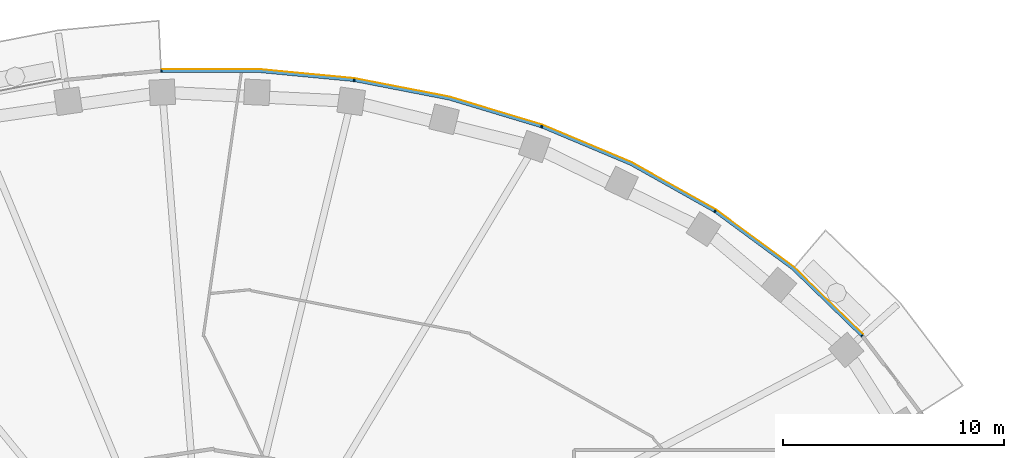
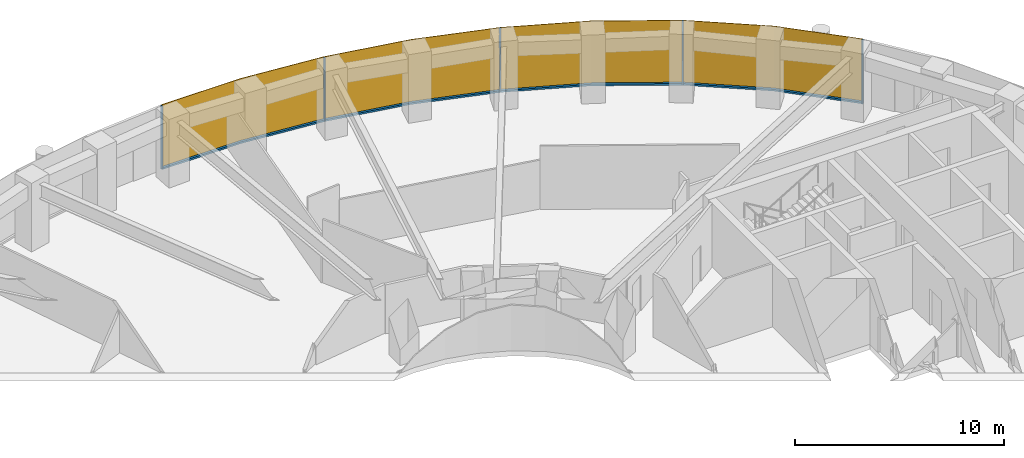
# One storey, part 13 of 16: 9 members, 1 curtain wall.
"""IFC4 building model written with IfcOpenShell, lengths in metres."""

import ifcopenshell
import ifcopenshell.guid

model = None  # the IFC model being written
_history = None  # IfcOwnerHistory: only IFC2X3 demands one
_inside = {}  # id of a spatial element -> (the spatial element, [elements in it])
_under = {}  # id of a project, library or spatial element -> (it, [spatial elements below it])
_declared = {}  # id of a project -> (the project, [libraries it declares])
_typed = {}  # id of a type object -> (the type object, [elements of that type])
_made_of = {}  # id of a material, layer set ... -> (it, [elements and type objects made of it])


def new_model(schema):
    """Start an empty IFC model of exactly this schema.

    Asked for "IFC4X3", IfcOpenShell would pick the latest addendum, in which some entities
    have other attributes; the version numbers below select the first issue.
    IFC2X3 requires an IfcOwnerHistory on every rooted entity: one is made here for all.
    """
    global model, _history
    if schema == "IFC4X3":
        model = ifcopenshell.file(schema_version=(4, 3, 0, 0))
    else:
        model = ifcopenshell.file(schema=schema)
    _inside.clear()
    _under.clear()
    _declared.clear()
    _typed.clear()
    _made_of.clear()
    _history = None
    if model.schema == "IFC2X3":
        org = make("IfcOrganization", Name="unknown")
        user = make(
            "IfcPersonAndOrganization",
            ThePerson=make("IfcPerson", FamilyName="unknown"),
            TheOrganization=org,
        )
        app = make(
            "IfcApplication",
            ApplicationDeveloper=org,
            Version="unknown",
            ApplicationFullName="unknown",
            ApplicationIdentifier="unknown",
        )
        _history = make(
            "IfcOwnerHistory",
            OwningUser=user,
            OwningApplication=app,
            ChangeAction="ADDED",
            CreationDate=0,
        )
    return model


def make(cls, **values):
    """One entity of the class cls with the attributes given. An attribute that is None is left unset."""
    return model.create_entity(
        cls, **{name: value for name, value in values.items() if value is not None}
    )


def rooted(cls, **values):
    """An entity with a GlobalId (a new one), such as an element, a storey or a relation."""
    return make(cls, GlobalId=ifcopenshell.guid.new(), OwnerHistory=_history, **values)


def si_unit(unit_type, name, prefix=None):
    """IfcSIUnit, for example si_unit("LENGTHUNIT", "METRE", prefix="MILLI")."""
    return make("IfcSIUnit", UnitType=unit_type, Prefix=prefix, Name=name)


def assignment(units):
    """IfcUnitAssignment: the units of a project."""
    return None if units is None else make("IfcUnitAssignment", Units=units)


def point(xyz):
    """IfcCartesianPoint."""
    return None if xyz is None else make("IfcCartesianPoint", Coordinates=xyz)


def direction(xyz):
    """IfcDirection."""
    return None if xyz is None else make("IfcDirection", DirectionRatios=xyz)


def frame(location, z_axis=None, x_axis=None):
    """IfcAxis2Placement3D, a coordinate frame: its origin and axes. An axis left out is left unset."""
    return make(
        "IfcAxis2Placement3D",
        Location=point(location),
        Axis=direction(z_axis),
        RefDirection=direction(x_axis),
    )


def frame_2d(location, x_axis=None):
    """IfcAxis2Placement2D, a coordinate frame in the plane: its origin and x axis."""
    return make(
        "IfcAxis2Placement2D", Location=point(location), RefDirection=direction(x_axis)
    )


def origin():
    """The frame at (0, 0, 0) with its axes left unset."""
    return frame((0.0, 0.0, 0.0))


def origin_2d():
    """The frame at (0, 0) in the plane with its x axis left unset."""
    return frame_2d((0.0, 0.0))


def place(relative_to, where):
    """IfcLocalPlacement: puts the frame where relative to a parent placement (None: the world)."""
    return make(
        "IfcLocalPlacement", PlacementRelTo=relative_to, RelativePlacement=where
    )


def context(
    kind, dimensions, precision=None, world=None, true_north=None, identifier=None
):
    """IfcGeometricRepresentationContext, for example the 3D "Model" context."""
    return make(
        "IfcGeometricRepresentationContext",
        ContextIdentifier=identifier,
        ContextType=kind,
        CoordinateSpaceDimension=dimensions,
        Precision=precision,
        WorldCoordinateSystem=world,
        TrueNorth=true_north,
    )


def subcontext(parent, identifier, kind, view, scale=None):
    """IfcGeometricRepresentationSubContext, for example "Body" below "Model"."""
    return make(
        "IfcGeometricRepresentationSubContext",
        ContextIdentifier=identifier,
        ContextType=kind,
        ParentContext=parent,
        TargetScale=scale,
        TargetView=view,
    )


def project(units=None, contexts=None):
    """IfcProject with its units and contexts."""
    return rooted(
        "IfcProject",
        Name="project",
        RepresentationContexts=contexts,
        UnitsInContext=assignment(units),
    )


def spatial(cls, under=None, at=None, **own):
    """A site, building, storey or space (cls), placed at a placement, below another one or the project."""
    s = rooted(cls, ObjectPlacement=at, **own)
    if under is not None:
        _under.setdefault(under.id(), (under, []))[1].append(s)
    return s


def polyline(points):
    """IfcPolyline through the points."""
    return make("IfcPolyline", Points=[point(p) for p in points])


def profile(cls, at=None, kind="AREA", **sizes):
    """A parametric profile (cls). Its sizes go by their IFC names, for example OverallWidth=200.0."""
    return make(cls, ProfileType=kind, Position=at, **sizes)


def rectangle(**sizes):
    """IfcRectangleProfileDef."""
    return profile("IfcRectangleProfileDef", **sizes)


def outline(outer, holes=None, kind="AREA"):
    """IfcArbitraryClosedProfileDef: a profile drawn as a closed curve; with holes, ...WithVoids."""
    if holes is None:
        return make("IfcArbitraryClosedProfileDef", ProfileType=kind, OuterCurve=outer)
    return make(
        "IfcArbitraryProfileDefWithVoids",
        ProfileType=kind,
        OuterCurve=outer,
        InnerCurves=holes,
    )


def extrude(swept, where, along, depth):
    """IfcExtrudedAreaSolid: the profile swept, set in the frame where, extruded along a direction by depth."""
    return make(
        "IfcExtrudedAreaSolid",
        SweptArea=swept,
        Position=where,
        ExtrudedDirection=direction(along),
        Depth=depth,
    )


def shape(context_of_items, identifier, shape_type, items):
    """IfcShapeRepresentation: the items that make up one representation, for example the "Body"."""
    return make(
        "IfcShapeRepresentation",
        ContextOfItems=context_of_items,
        RepresentationIdentifier=identifier,
        RepresentationType=shape_type,
        Items=items,
    )


def material(Name=None, Category=None):
    """IfcMaterial."""
    return make("IfcMaterial", Name=Name, Category=Category)


def layer(
    of_material, thickness, ventilated=None, Name=None, Category=None, Priority=None
):
    """IfcMaterialLayer: one layer of a wall or slab, of a material (None: an air gap)."""
    return make(
        "IfcMaterialLayer",
        Material=of_material,
        LayerThickness=thickness,
        IsVentilated=ventilated,
        Name=Name,
        Category=Category,
        Priority=Priority,
    )


def layer_set(layers, Name=None):
    """IfcMaterialLayerSet."""
    return make("IfcMaterialLayerSet", MaterialLayers=layers, LayerSetName=Name)


def material_profile(
    of_material, cross_section, Name=None, Category=None, Priority=None
):
    """IfcMaterialProfile: a cross section and its material."""
    return make(
        "IfcMaterialProfile",
        Name=Name,
        Material=of_material,
        Profile=cross_section,
        Priority=Priority,
        Category=Category,
    )


def profile_set(profiles, Name=None, composite=None):
    """IfcMaterialProfileSet."""
    return make(
        "IfcMaterialProfileSet",
        Name=Name,
        MaterialProfiles=profiles,
        CompositeProfile=composite,
    )


def made_of(thing, what):
    """Note that an element or type object is made of a material, layer set ...; save() writes the relation."""
    if what is not None:
        _made_of.setdefault(what.id(), (what, []))[1].append(thing)
    return thing


def type_object(cls, material=None, **own):
    """A type object (cls), such as IfcWallType, which elements share."""
    return made_of(rooted(cls, **own), material)


def element(
    cls,
    number,
    at=None,
    inside=None,
    cuts=None,
    type_object=None,
    material=None,
    context=None,
    identifier="Body",
    shape_type=None,
    held_by="IfcProductDefinitionShape",
    body=None,
    shapes=None,
    **own,
):
    """One element of the class cls, such as IfcWall. Its Tag is "e" and its number.

    at: its placement. inside: the storey or other place that contains it. cuts: it is an
    opening in that element (IfcRelVoidsElement). A single representation is given by context,
    identifier, shape_type and body (its items); several are given by shapes. held_by: the class
    of the entity that holds the representations. save() writes the other relations.
    """
    e = rooted(cls, Tag="e%d" % number, ObjectPlacement=at, **own)
    if body is not None:
        shapes = [shape(context, identifier, shape_type, body)]
    if shapes is not None:
        e.Representation = make(held_by, Representations=shapes)
    if inside is not None:
        _inside.setdefault(inside.id(), (inside, []))[1].append(e)
    if cuts is not None:
        rooted(
            "IfcRelVoidsElement", RelatingBuildingElement=cuts, RelatedOpeningElement=e
        )
    if type_object is not None:
        _typed.setdefault(type_object.id(), (type_object, []))[1].append(e)
    return made_of(e, material)


def aggregate(whole, parts):
    """IfcRelAggregates: a whole, such as a stair, and the parts it consists of."""
    return rooted("IfcRelAggregates", RelatingObject=whole, RelatedObjects=parts)


def save(model, path):
    """Write the relations noted so far, then the file.

    IfcRelAggregates (storeys below a building ...), IfcRelContainedInSpatialStructure (elements
    in a storey), IfcRelDefinesByType, IfcRelAssociatesMaterial and IfcRelDeclares: one each for
    every whole, place, type object, material and project.
    """
    for whole, parts in _under.values():
        aggregate(whole, parts)
    for where, things in _inside.values():
        rooted(
            "IfcRelContainedInSpatialStructure",
            RelatedElements=things,
            RelatingStructure=where,
        )
    for kind, things in _typed.values():
        rooted("IfcRelDefinesByType", RelatedObjects=things, RelatingType=kind)
    for what, things in _made_of.values():
        rooted("IfcRelAssociatesMaterial", RelatedObjects=things, RelatingMaterial=what)
    for by, libraries in _declared.values():
        rooted("IfcRelDeclares", RelatingContext=by, RelatedDefinitions=libraries)
    model.write(path)


model = new_model("IFC4")

# Units and contexts
model_context = context("Model", 3, precision=1e-05, world=origin(), true_north=direction((0.0, 1.0)))
body_context = subcontext(model_context, "Body", "Model", "MODEL_VIEW")
ifc_project = project(units=[si_unit("LENGTHUNIT", "METRE"), si_unit("AREAUNIT", "SQUARE_METRE"), si_unit("VOLUMEUNIT", "CUBIC_METRE"), si_unit("PLANEANGLEUNIT", "RADIAN"), si_unit("MASSUNIT", "GRAM", prefix="KILO")], contexts=[model_context])

# Member
ifc_material_1 = material(Name="Aluminium 6063-T6 black anodised", Category="aluminium")
ifc_material_profile = material_profile(ifc_material_1, rectangle(XDim=0.1201171875, YDim=0.06005859375, at=origin_2d()), Name="120x60")
ifc_profile_set = profile_set([ifc_material_profile], Name="Aluminium 6063-T6 black anodised")
member_type_1 = type_object("IfcMemberType", Name="ENV-MULLION-A-120", PredefinedType="MULLION", material=ifc_profile_set)
site_placement = place(None, origin())
building_placement = place(site_placement, origin())
storey_placement = place(building_placement, frame((0.0, 0.0, 174.0)))
member_1_placement = place(storey_placement, frame((29.53857421875, 15.8671875, 0.0), z_axis=(0.0, 0.0, 1.0), x_axis=(-0.749047221705, -0.662516610853, 0.0)))
member_1 = element("IfcMember", 1, at=member_1_placement, type_object=member_type_1, Name="Mullion A radial 05", PredefinedType="MULLION", context=body_context, shape_type="SweptSolid", body=[
    extrude(rectangle(XDim=0.1201171875, YDim=0.06005859375, at=origin_2d()), origin(), (0.0, 0.0, 1.0), 3.699951171875),
])

member_2_placement = place(storey_placement, frame((22.882568359375, 21.506591796875, 0.0), z_axis=(0.0, 0.0, 1.0), x_axis=(-0.542279153225, -0.840198381323, 0.0)))
member_2 = element("IfcMember", 2, at=member_2_placement, type_object=member_type_1, Name="Mullion A radial 07", PredefinedType="MULLION", context=body_context, shape_type="SweptSolid", body=[
    extrude(rectangle(XDim=0.1201171875, YDim=0.06005859375, at=origin_2d()), origin(), (0.0, 0.0, 1.0), 3.699951171875),
])

member_3_placement = place(storey_placement, frame((15.0341796875, 25.34375, 0.0), z_axis=(0.0, 0.0, 1.0), x_axis=(-0.338379256581, -0.941009818608, 0.0)))
member_3 = element("IfcMember", 3, at=member_3_placement, type_object=member_type_1, Name="Mullion A radial 09", PredefinedType="MULLION", context=body_context, shape_type="SweptSolid", body=[
    extrude(rectangle(XDim=0.1201171875, YDim=0.06005859375, at=origin_2d()), origin(), (0.0, 0.0, 1.0), 3.699951171875),
])

member_4_placement = place(storey_placement, frame((6.54638671875, 27.440185546875, 0.0), z_axis=(0.0, 0.0, 1.0), x_axis=(-0.143082012705, -0.989710835366, 0.0)))
member_4 = element("IfcMember", 4, at=member_4_placement, type_object=member_type_1, Name="Mullion A radial 11", PredefinedType="MULLION", context=body_context, shape_type="SweptSolid", body=[
    extrude(rectangle(XDim=0.1201171875, YDim=0.06005859375, at=origin_2d()), origin(), (0.0, 0.0, 1.0), 3.699951171875),
])

member_5_placement = place(storey_placement, frame((-2.188720703125, 27.856201171875, 0.0), z_axis=(0.0, 0.0, 1.0), x_axis=(0.047557873581, -0.998868484166, 0.0)))
member_5 = element("IfcMember", 5, at=member_5_placement, type_object=member_type_1, Name="Mullion A radial 13", PredefinedType="MULLION", context=body_context, shape_type="SweptSolid", body=[
    extrude(rectangle(XDim=0.1201171875, YDim=0.06005859375, at=origin_2d()), origin(), (0.0, 0.0, 1.0), 3.699951171875),
])

ifc_material_2 = material(Name="Aluminium 6063-T6 black anodised", Category="aluminium")
member_type_2 = type_object("IfcMemberType", Name="ENV-TRANSOM-A", PredefinedType="USERDEFINED", material=ifc_material_2)
member_6_placement = place(storey_placement, origin())
member_6 = element("IfcMember", 6, at=member_6_placement, type_object=member_type_2, Name="Transom A radial 05-07", ObjectType="TRANSOM", PredefinedType="USERDEFINED", context=body_context, shape_type="SweptSolid", body=[
    extrude(outline(polyline([(29.5634765625, 15.926513671875), (26.4423828125, 18.958740234375), (22.937744140625, 21.540283203125), (22.87255859375, 21.439208984375), (26.364501953125, 18.866943359375), (29.473388671875, 15.8466796875), (29.5634765625, 15.926513671875)])), origin(), (0.0, 0.0, 1.0), 0.10009765625),
])

member_7_placement = place(storey_placement, origin())
member_7 = element("IfcMember", 7, at=member_7_placement, type_object=member_type_2, Name="Transom A radial 07-09", ObjectType="TRANSOM", PredefinedType="USERDEFINED", context=body_context, shape_type="SweptSolid", body=[
    extrude(outline(polyline([(22.890625, 21.570556640625), (19.093994140625, 23.701416015625), (15.080322265625, 25.389404296875), (15.03955078125, 25.276123046875), (19.041259765625, 23.593505859375), (22.825439453125, 21.469482421875), (22.890625, 21.570556640625)])), origin(), (0.0, 0.0, 1.0), 0.10009765625),
])

member_8_placement = place(storey_placement, origin())
member_8 = element("IfcMember", 8, at=member_8_placement, type_object=member_type_2, Name="Transom A radial 09-11", ObjectType="TRANSOM", PredefinedType="USERDEFINED", context=body_context, shape_type="SweptSolid", body=[
    extrude(outline(polyline([(15.027587890625, 25.408203125), (10.857666015625, 26.6630859375), (6.58251953125, 27.494140625), (6.5654296875, 27.375244140625), (10.828857421875, 26.54638671875), (14.987060546875, 25.295166015625), (15.027587890625, 25.408203125)])), origin(), (0.0, 0.0, 1.0), 0.10009765625),
])

member_9_placement = place(storey_placement, origin())
member_9 = element("IfcMember", 9, at=member_9_placement, type_object=member_type_2, Name="Transom A radial 11-13", ObjectType="TRANSOM", PredefinedType="USERDEFINED", context=body_context, shape_type="SweptSolid", body=[
    extrude(outline(polyline([(6.527099609375, 27.502197265625), (2.191650390625, 27.916015625), (-2.163818359375, 27.916015625), (-2.157958984375, 27.7958984375), (2.185791015625, 27.7958984375), (6.510009765625, 27.38330078125), (6.527099609375, 27.502197265625)])), origin(), (0.0, 0.0, 1.0), 0.10009765625),
])

# Site, building, storey
site = spatial("IfcSite", under=ifc_project, at=site_placement, CompositionType="ELEMENT")
building = spatial("IfcBuilding", under=site, at=building_placement, Name="Noorbagh Ring Tower", CompositionType="ELEMENT")
storey = spatial("IfcBuildingStorey", under=building, at=storey_placement, Name="L40", CompositionType="ELEMENT", Elevation=174.0)

# Curtain wall
ifc_material_3 = material(Name="Glass dark tinted laminated", Category="glass")
ifc_layer = layer(ifc_material_3, 0.031982421875)
ifc_layer_set = layer_set([ifc_layer], Name="Glass dark tinted laminated")
curtain_wall_type = type_object("IfcCurtainWallType", Name="ENV-CW-A", PredefinedType="NOTDEFINED", material=ifc_layer_set)
curtain_wall_placement = place(storey_placement, origin())
curtain_wall = element("IfcCurtainWall", 10, at=curtain_wall_placement, inside=storey, type_object=curtain_wall_type, Name="Curtain wall A R05", PredefinedType="NOTDEFINED", context=body_context, shape_type="SweptSolid", body=[
    extrude(outline(polyline([(29.59326171875, 15.942138671875), (26.463134765625, 18.9833984375), (22.9326171875, 21.583740234375), (19.108154296875, 23.730224609375), (15.065185546875, 25.430419921875), (10.865234375, 26.6943359375), (6.559814453125, 27.53125), (2.193115234375, 27.947998046875), (-2.173095703125, 27.947998046875), (-2.171630859375, 27.916015625), (2.191650390625, 27.916015625), (6.55517578125, 27.49951171875), (10.857666015625, 26.6630859375), (15.054443359375, 25.400146484375), (19.093994140625, 23.701416015625), (22.9150390625, 21.556884765625), (26.4423828125, 18.958740234375), (29.569091796875, 15.9208984375), (29.59326171875, 15.942138671875)])), origin(), (0.0, 0.0, 1.0), 3.699951171875),
])

aggregate(curtain_wall, [member_1, member_2, member_3, member_4, member_5, member_6, member_7, member_8, member_9])

save(model, "model.ifc")
